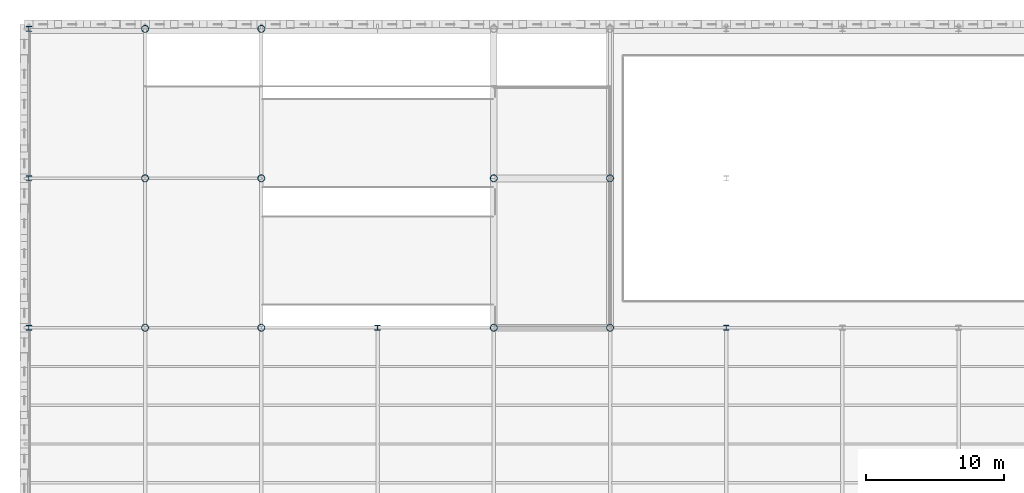
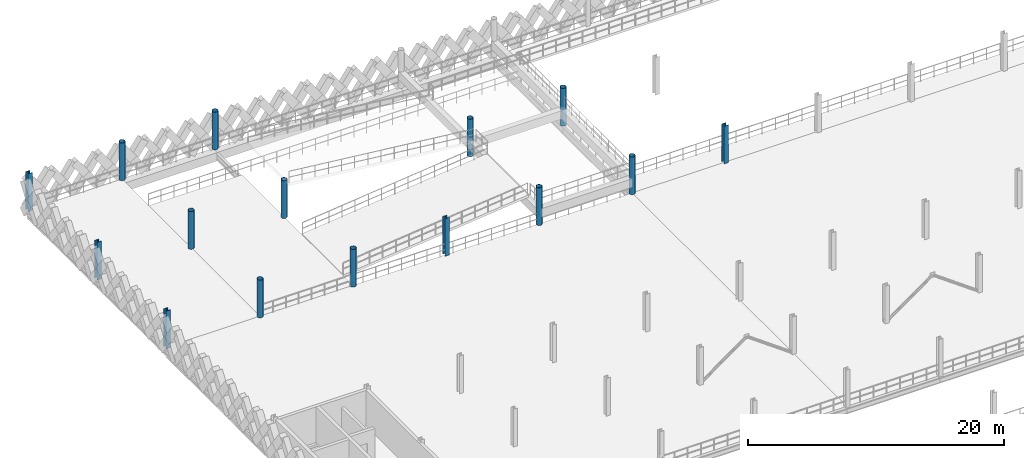
# One storey, part 11 of 101: 15 columns.
"""IFC4 building model written with IfcOpenShell, lengths in metres."""

from ifc_helpers import new_model, si_unit, direction, frame, origin, origin_2d, place, context, subcontext, project, spatial, hollow_circle, i_section, extrude, material, material_profile, profile_set, type_object, element, save


model = new_model("IFC4")

# Units and contexts
model_context = context("Model", 3, precision=1e-05, world=origin(), true_north=direction((0.0, 1.0)))
body_context = subcontext(model_context, "Body", "Model", "MODEL_VIEW")
ifc_project = project(units=[si_unit("LENGTHUNIT", "METRE"), si_unit("AREAUNIT", "SQUARE_METRE"), si_unit("VOLUMEUNIT", "CUBIC_METRE"), si_unit("PLANEANGLEUNIT", "RADIAN"), si_unit("MASSUNIT", "GRAM", prefix="KILO"), si_unit("THERMODYNAMICTEMPERATUREUNIT", "KELVIN"), si_unit("POWERUNIT", "WATT")], contexts=[model_context])

# Site, building, storey
site_placement = place(None, origin())
site = spatial("IfcSite", under=ifc_project, at=site_placement, CompositionType="ELEMENT")
building_placement = place(site_placement, origin())
building = spatial("IfcBuilding", under=site, at=building_placement, Name="Tembeka Court Mobility Hub", CompositionType="ELEMENT")
storey_placement = place(building_placement, frame((0.0, 0.0, 5.39990234375)))
storey = spatial("IfcBuildingStorey", under=building, at=storey_placement, Name="L01", CompositionType="ELEMENT", Elevation=5.39990234375)

# Columns
ifc_material = material(Name="Steel S355", Category="steel")
ifc_material_profile_1 = material_profile(ifc_material, i_section(OverallWidth=0.39501953125, OverallDepth=0.381103515625, WebThickness=0.018310546875, FlangeThickness=0.0302734375, FilletRadius=0.01513671875, at=origin_2d()), Name="UKC 356x406x235")
ifc_profile_set_1 = profile_set([ifc_material_profile_1], Name="Steel S355")
column_type_1 = type_object("IfcColumnType", Name="COL-C02", PredefinedType="COLUMN", material=ifc_profile_set_1)
for number, where, z_axis, x_axis, name in (
    (1, (0.0, 97.199951171875, 0.0), (0.0, 0.0, 1.0), (1.0, 0.0, 0.0), "Column C02 (L01-010)"),
    (2, (0.0, 108.0, 0.0), (0.0, 0.0, 1.0), (1.0, 0.0, 0.0), "Column C02 (L01-011)"),
    (3, (0.0, 118.800048828125, 0.0), (0.0, 0.0, 1.0), (1.0, 0.0, 0.0), "Column C02 (L01-012)"),
    (4, (25.199951171875, 97.199951171875, 0.0), (0.0, 0.0, 1.0), (1.0, 0.0, 0.0), "Column C02 (L01-045)"),
    (5, (50.39990234375, 97.199951171875, 0.0), (0.0, 0.0, 1.0), (1.0, 0.0, 0.0), "Column C02 (L01-080)"),
):
    element("IfcColumn", number, at=place(storey_placement, frame(where, z_axis=z_axis, x_axis=x_axis)), inside=storey, type_object=column_type_1, Name=name, PredefinedType="COLUMN", context=body_context, shape_type="SweptSolid", body=[
        extrude(i_section(OverallWidth=0.39501953125, OverallDepth=0.381103515625, WebThickness=0.018310546875, FlangeThickness=0.0302734375, FilletRadius=0.01513671875, at=origin_2d()), origin(), (0.0, 0.0, 1.0), 3.60009765625),
    ])
ifc_material_profile_2 = material_profile(ifc_material, hollow_circle(Radius=0.25390625, WallThickness=0.01611328125, at=origin_2d()), Name="CHS 508x16")
ifc_profile_set_2 = profile_set([ifc_material_profile_2], Name="Steel S355")
column_type_2 = type_object("IfcColumnType", Name="COL-C08", PredefinedType="COLUMN", material=ifc_profile_set_2)
for number, where, z_axis, x_axis, name in (
    (6, (8.39990234375, 97.199951171875, 0.0), (0.0, 0.0, 1.0), (1.0, 0.0, 0.0), "Column C08 (L01-022)"),
    (7, (8.39990234375, 108.0, 0.0), (0.0, 0.0, 1.0), (1.0, 0.0, 0.0), "Column C08 (L01-023)"),
    (8, (8.39990234375, 118.800048828125, 0.0), (0.0, 0.0, 1.0), (1.0, 0.0, 0.0), "Column C08 (L01-024)"),
    (9, (16.800048828125, 97.199951171875, 0.0), (0.0, 0.0, 1.0), (1.0, 0.0, 0.0), "Column C08 (L01-034)"),
    (10, (16.800048828125, 108.0, 0.0), (0.0, 0.0, 1.0), (1.0, 0.0, 0.0), "Column C08 (L01-035)"),
    (11, (16.800048828125, 118.800048828125, 0.0), (0.0, 0.0, 1.0), (1.0, 0.0, 0.0), "Column C08 (L01-036)"),
    (12, (33.60009765625, 97.199951171875, 0.0), (0.0, 0.0, 1.0), (1.0, 0.0, 0.0), "Column C08 (L01-056)"),
    (13, (33.60009765625, 108.0, 0.0), (0.0, 0.0, 1.0), (1.0, 0.0, 0.0), "Column C08 (L01-057)"),
    (14, (42.0, 97.199951171875, 0.0), (0.0, 0.0, 1.0), (1.0, 0.0, 0.0), "Column C08 (L01-068)"),
    (15, (42.0, 108.0, 0.0), (0.0, 0.0, 1.0), (1.0, 0.0, 0.0), "Column C08 (L01-069)"),
):
    element("IfcColumn", number, at=place(storey_placement, frame(where, z_axis=z_axis, x_axis=x_axis)), inside=storey, type_object=column_type_2, Name=name, PredefinedType="COLUMN", context=body_context, shape_type="SweptSolid", body=[
        extrude(hollow_circle(Radius=0.25390625, WallThickness=0.01611328125, at=origin_2d()), origin(), (0.0, 0.0, 1.0), 3.60009765625),
    ])

save(model, "model.ifc")
